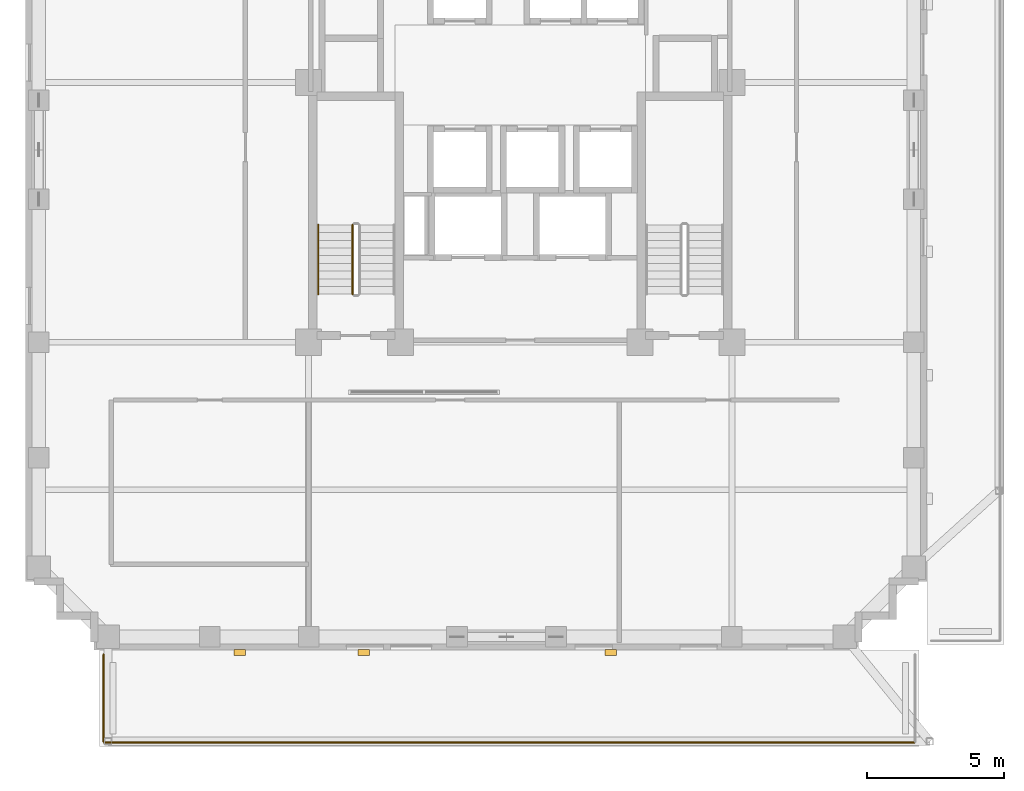
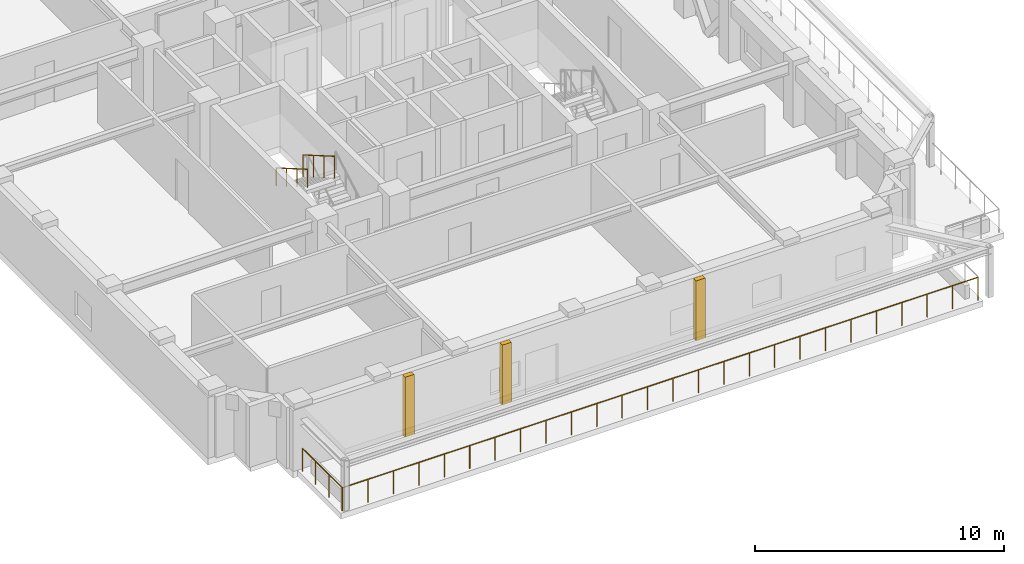
# One storey, part 13 of 15: 4 railings, 3 coverings.
"""IFC4 building model written with IfcOpenShell, lengths in metres."""

from ifc_helpers import new_model, si_unit, derived_unit, direction, frame, origin, origin_2d, place, context, subcontext, project, spatial, rectangle, circle, extrude, material, layer, layer_set, type_object, element, save


model = new_model("IFC4")

# Units and contexts
model_context = context("Model", 3, precision=1e-05, world=origin(), true_north=direction((0.0, 1.0)))
body_context = subcontext(model_context, "Body", "Model", "MODEL_VIEW")
ifc_project = project(units=[si_unit("LENGTHUNIT", "METRE"), si_unit("AREAUNIT", "SQUARE_METRE"), si_unit("VOLUMEUNIT", "CUBIC_METRE"), si_unit("PLANEANGLEUNIT", "RADIAN"), si_unit("MASSUNIT", "GRAM", prefix="KILO"), derived_unit("THERMALTRANSMITTANCEUNIT", [(si_unit("MASSUNIT", "GRAM", prefix="KILO"), 1), (si_unit("TIMEUNIT", "SECOND"), -3), (si_unit("THERMODYNAMICTEMPERATUREUNIT", "KELVIN"), -1)])], contexts=[model_context])

# Site, building, storey
site_placement = place(None, origin())
site = spatial("IfcSite", under=ifc_project, at=site_placement, CompositionType="ELEMENT")
building_placement = place(site_placement, origin())
building = spatial("IfcBuilding", under=site, at=building_placement, Name="Korrvale Station Residences", CompositionType="ELEMENT")
storey_placement = place(building_placement, frame((0.0, 0.0, 124.39990234375)))
storey = spatial("IfcBuildingStorey", under=building, at=storey_placement, Name="L35", CompositionType="ELEMENT", Elevation=124.39990234375)

# Coverings
ifc_material_1 = material(Name="Architectural precast concrete C45/55", Category="concrete")
ifc_layer = layer(ifc_material_1, 0.219970703125, Name="Architectural precast concrete C45/55")
ifc_layer_set = layer_set([ifc_layer], Name="Architectural precast concrete C45/55")
covering_type = type_object("IfcCoveringType", Name="COV-PIER-400", PredefinedType="CLADDING", material=ifc_layer_set)
for number, where, z_axis, x_axis, name in (
    (1, (28.800048828125, 3.7099609375, 0.025146484375), (0.0, 0.0, 1.0), (1.0, 0.0, 0.0), "L35 Architectural Precast Facade Pier 01"),
    (2, (19.800048828125, 3.7099609375, 0.025146484375), (0.0, 0.0, 1.0), (1.0, 0.0, 0.0), "L35 Architectural Precast Facade Pier 02"),
    (3, (15.300048828125, 3.7099609375, 0.025146484375), (0.0, 0.0, 1.0), (1.0, 0.0, 0.0), "L35 Architectural Precast Facade Pier 03"),
):
    element("IfcCovering", number, at=place(storey_placement, frame(where, z_axis=z_axis, x_axis=x_axis)), inside=storey, type_object=covering_type, Name=name, PredefinedType="CLADDING", context=body_context, shape_type="SweptSolid", body=[
        extrude(rectangle(XDim=0.419921875, YDim=0.219970703125, at=origin_2d()), origin(), (0.0, 0.0, 1.0), 2.93994140625),
    ])

# Railings
ifc_material_2 = material(Name="Brushed stainless-steel continuous stair handrail", Category="steel")
railing_type_1 = type_object("IfcRailingType", Name="RLG-SHND-900", PredefinedType="HANDRAIL", material=ifc_material_2)
railing_1_placement = place(storey_placement, frame((18.14990234375, 19.27001953125, 1.78759765625)))
element("IfcRailing", 4, at=railing_1_placement, inside=storey, type_object=railing_type_1, Name="L35 ST-1 stair handrail 2", PredefinedType="HANDRAIL", context=body_context, shape_type="SweptSolid", body=[
    extrude(circle(Radius=0.02392578125, at=origin_2d()), frame((0.0, 0.0, 0.8759765625), z_axis=(0.0, -0.864913338283, 0.50192122615), x_axis=(1.0, 0.0, 0.0)), (0.0, 0.0, 1.0), 2.91357421875),
    extrude(circle(Radius=0.02099609375, at=origin_2d()), origin(), (0.0, 0.0, 1.0), 0.851806640625),
    extrude(circle(Radius=0.02099609375, at=origin_2d()), frame((0.0, -0.840087890625, 0.487548828125)), (0.0, 0.0, 1.0), 0.851806640625),
    extrude(circle(Radius=0.02099609375, at=origin_2d()), frame((0.0, -1.679931640625, 0.974853515625)), (0.0, 0.0, 1.0), 0.851806640625),
    extrude(circle(Radius=0.02099609375, at=origin_2d()), frame((0.0, -2.52001953125, 1.46240234375)), (0.0, 0.0, 1.0), 0.851806640625),
])
ifc_material_3 = material(Name="Galvanised painted tubular steel stair guard", Category="steel")
railing_type_2 = type_object("IfcRailingType", Name="RLG-STR-1100", PredefinedType="GUARDRAIL", material=ifc_material_3)
railing_2_placement = place(storey_placement, frame((19.39990234375, 19.27001953125, 1.78759765625)))
element("IfcRailing", 5, at=railing_2_placement, inside=storey, type_object=railing_type_2, Name="L35 ST-1 stair guard 3", PredefinedType="GUARDRAIL", context=body_context, shape_type="SweptSolid", body=[
    extrude(circle(Radius=0.02392578125, at=origin_2d()), frame((0.0, 0.0, 1.076171875), z_axis=(0.0, -0.864913338283, 0.50192122615), x_axis=(1.0, 0.0, 0.0)), (0.0, 0.0, 1.0), 2.91357421875),
    extrude(circle(Radius=0.02099609375, at=origin_2d()), origin(), (0.0, 0.0, 1.0), 1.052001953125),
    extrude(circle(Radius=0.02099609375, at=origin_2d()), frame((0.0, -0.840087890625, 0.487548828125)), (0.0, 0.0, 1.0), 1.052001953125),
    extrude(circle(Radius=0.02099609375, at=origin_2d()), frame((0.0, -1.679931640625, 0.974853515625)), (0.0, 0.0, 1.0), 1.052001953125),
    extrude(circle(Radius=0.02099609375, at=origin_2d()), frame((0.0, -2.52001953125, 1.46240234375)), (0.0, 0.0, 1.0), 1.052001953125),
])
ifc_material_4 = material(Name="Laminated safety glass and stainless steel balustrade", Category="steel")
railing_type_3 = type_object("IfcRailingType", Name="RLG-TER-1150", PredefinedType="GUARDRAIL", material=ifc_material_4)
railing_3_placement = place(storey_placement, frame((10.360107421875, 0.43994140625, 0.0)))
element("IfcRailing", 6, at=railing_3_placement, inside=storey, type_object=railing_type_3, Name="L35 Setback Terrace Perimeter Guard TER-L35-S-S", PredefinedType="GUARDRAIL", context=body_context, shape_type="SweptSolid", body=[
    extrude(circle(Radius=0.02392578125, at=origin_2d()), frame((0.0, 0.0, 1.1259765625), z_axis=(1.0, 0.0, 0.0), x_axis=(0.0, 1.0, 0.0)), (0.0, 0.0, 1.0), 29.47998046875),
    extrude(circle(Radius=0.02099609375, at=origin_2d()), origin(), (0.0, 0.0, 1.0), 1.101806640625),
    extrude(circle(Radius=0.02099609375, at=origin_2d()), frame((1.17919921875, 0.0, 0.0)), (0.0, 0.0, 1.0), 1.101806640625),
    extrude(circle(Radius=0.02099609375, at=origin_2d()), frame((2.3583984375, 0.0, 0.0)), (0.0, 0.0, 1.0), 1.101806640625),
    extrude(circle(Radius=0.02099609375, at=origin_2d()), frame((3.53759765625, 0.0, 0.0)), (0.0, 0.0, 1.0), 1.101806640625),
    extrude(circle(Radius=0.02099609375, at=origin_2d()), frame((4.716796875, 0.0, 0.0)), (0.0, 0.0, 1.0), 1.101806640625),
    extrude(circle(Radius=0.02099609375, at=origin_2d()), frame((5.89599609375, 0.0, 0.0)), (0.0, 0.0, 1.0), 1.101806640625),
    extrude(circle(Radius=0.02099609375, at=origin_2d()), frame((7.0751953125, 0.0, 0.0)), (0.0, 0.0, 1.0), 1.101806640625),
    extrude(circle(Radius=0.02099609375, at=origin_2d()), frame((8.25439453125, 0.0, 0.0)), (0.0, 0.0, 1.0), 1.101806640625),
    extrude(circle(Radius=0.02099609375, at=origin_2d()), frame((9.43359375, 0.0, 0.0)), (0.0, 0.0, 1.0), 1.101806640625),
    extrude(circle(Radius=0.02099609375, at=origin_2d()), frame((10.61279296875, 0.0, 0.0)), (0.0, 0.0, 1.0), 1.101806640625),
    extrude(circle(Radius=0.02099609375, at=origin_2d()), frame((11.7919921875, 0.0, 0.0)), (0.0, 0.0, 1.0), 1.101806640625),
    extrude(circle(Radius=0.02099609375, at=origin_2d()), frame((12.97119140625, 0.0, 0.0)), (0.0, 0.0, 1.0), 1.101806640625),
    extrude(circle(Radius=0.02099609375, at=origin_2d()), frame((14.150390625, 0.0, 0.0)), (0.0, 0.0, 1.0), 1.101806640625),
    extrude(circle(Radius=0.02099609375, at=origin_2d()), frame((15.32958984375, 0.0, 0.0)), (0.0, 0.0, 1.0), 1.101806640625),
    extrude(circle(Radius=0.02099609375, at=origin_2d()), frame((16.5087890625, 0.0, 0.0)), (0.0, 0.0, 1.0), 1.101806640625),
    extrude(circle(Radius=0.02099609375, at=origin_2d()), frame((17.68798828125, 0.0, 0.0)), (0.0, 0.0, 1.0), 1.101806640625),
    extrude(circle(Radius=0.02099609375, at=origin_2d()), frame((18.8671875, 0.0, 0.0)), (0.0, 0.0, 1.0), 1.101806640625),
    extrude(circle(Radius=0.02099609375, at=origin_2d()), frame((20.04638671875, 0.0, 0.0)), (0.0, 0.0, 1.0), 1.101806640625),
    extrude(circle(Radius=0.02099609375, at=origin_2d()), frame((21.2255859375, 0.0, 0.0)), (0.0, 0.0, 1.0), 1.101806640625),
    extrude(circle(Radius=0.02099609375, at=origin_2d()), frame((22.40478515625, 0.0, 0.0)), (0.0, 0.0, 1.0), 1.101806640625),
    extrude(circle(Radius=0.02099609375, at=origin_2d()), frame((23.583984375, 0.0, 0.0)), (0.0, 0.0, 1.0), 1.101806640625),
    extrude(circle(Radius=0.02099609375, at=origin_2d()), frame((24.76318359375, 0.0, 0.0)), (0.0, 0.0, 1.0), 1.101806640625),
    extrude(circle(Radius=0.02099609375, at=origin_2d()), frame((25.9423828125, 0.0, 0.0)), (0.0, 0.0, 1.0), 1.101806640625),
    extrude(circle(Radius=0.02099609375, at=origin_2d()), frame((27.12158203125, 0.0, 0.0)), (0.0, 0.0, 1.0), 1.101806640625),
    extrude(circle(Radius=0.02099609375, at=origin_2d()), frame((28.30078125, 0.0, 0.0)), (0.0, 0.0, 1.0), 1.101806640625),
    extrude(circle(Radius=0.02099609375, at=origin_2d()), frame((29.47998046875, 0.0, 0.0)), (0.0, 0.0, 1.0), 1.101806640625),
])
railing_4_placement = place(storey_placement, frame((10.340087890625, 0.4599609375, 0.0)))
element("IfcRailing", 7, at=railing_4_placement, inside=storey, type_object=railing_type_3, Name="L35 Setback Terrace Perimeter Guard TER-L35-S-W", PredefinedType="GUARDRAIL", context=body_context, shape_type="SweptSolid", body=[
    extrude(circle(Radius=0.02392578125, at=origin_2d()), frame((0.0, 0.0, 1.1259765625), z_axis=(0.0, 1.0, 0.0), x_axis=(-1.0, 0.0, 0.0)), (0.0, 0.0, 1.0), 3.179931640625),
    extrude(circle(Radius=0.02099609375, at=origin_2d()), origin(), (0.0, 0.0, 1.0), 1.101806640625),
    extrude(circle(Radius=0.02099609375, at=origin_2d()), frame((0.0, 1.06005859375, 0.0)), (0.0, 0.0, 1.0), 1.101806640625),
    extrude(circle(Radius=0.02099609375, at=origin_2d()), frame((0.0, 2.119873046875, 0.0)), (0.0, 0.0, 1.0), 1.101806640625),
    extrude(circle(Radius=0.02099609375, at=origin_2d()), frame((0.0, 3.179931640625, 0.0)), (0.0, 0.0, 1.0), 1.101806640625),
])

save(model, "model.ifc")
